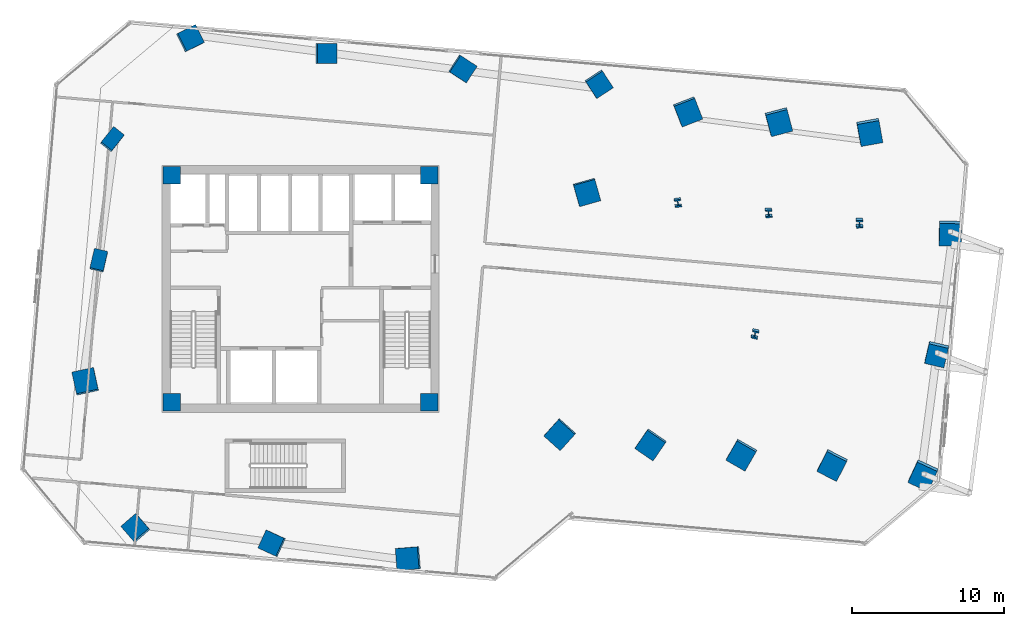
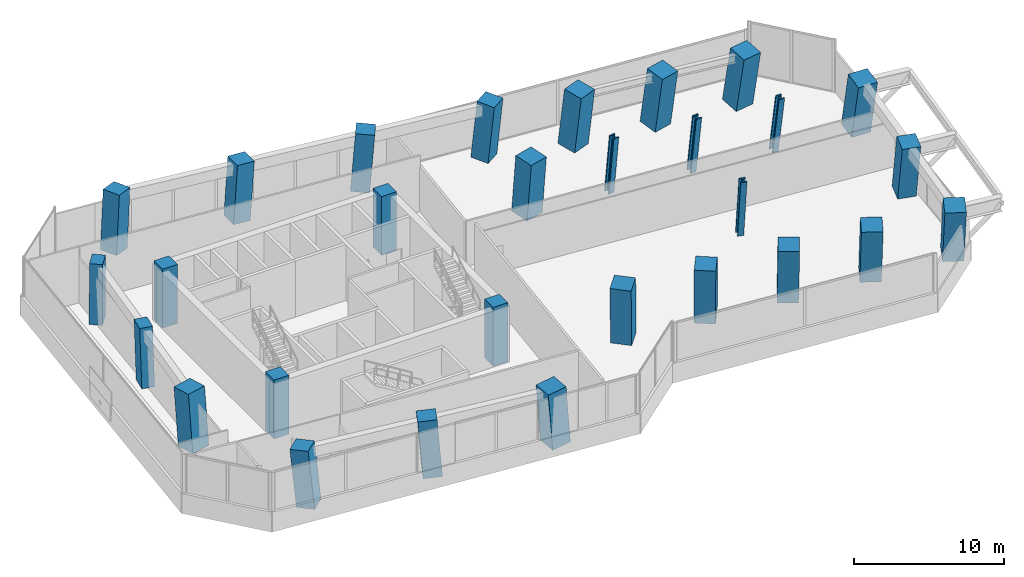
# One storey, part 1 of 23: 29 columns.
"""IFC4 building model written with IfcOpenShell, lengths in metres."""

from ifc_helpers import new_model, si_unit, direction, frame, origin, origin_2d, place, context, subcontext, project, spatial, rectangle, i_section, extrude, clip, halfspace, source, transform, mapped, material, material_profile, profile_set, type_object, element, save


model = new_model("IFC4")

# Units and contexts
model_context = context("Model", 3, precision=1e-05, world=origin(), true_north=direction((0.0, 1.0)))
body_context = subcontext(model_context, "Body", "Model", "MODEL_VIEW")
ifc_project = project(units=[si_unit("LENGTHUNIT", "METRE"), si_unit("AREAUNIT", "SQUARE_METRE"), si_unit("VOLUMEUNIT", "CUBIC_METRE"), si_unit("PLANEANGLEUNIT", "RADIAN"), si_unit("MASSUNIT", "GRAM", prefix="KILO")], contexts=[model_context])

# Site, building, storey
site_placement = place(None, origin())
site = spatial("IfcSite", under=ifc_project, at=site_placement, CompositionType="ELEMENT")
building_placement = place(site_placement, origin())
building = spatial("IfcBuilding", under=site, at=building_placement, Name="Torre Montelarca", CompositionType="ELEMENT")
storey_placement = place(building_placement, frame((0.0, 0.0, 56.800048828125)))
storey = spatial("IfcBuildingStorey", under=building, at=storey_placement, Name="L12", CompositionType="ELEMENT", Elevation=56.800048828125)

# Columns
ifc_material_1 = material(Name="Concrete C55/67", Category="concrete")
ifc_material_profile_1 = material_profile(ifc_material_1, rectangle(XDim=0.89990234375, YDim=1.300048828125, at=origin_2d()), Name="RC1300X900", Category="concrete")
ifc_profile_set_1 = profile_set([ifc_material_profile_1], Name="Concrete C55/67")
column_type_1 = type_object("IfcColumnType", Name="COL-PIL1300-EXT", PredefinedType="PILASTER", material=ifc_profile_set_1)
column_1_placement = place(storey_placement, frame((4.750244140625, 33.83447265625, 0.0), z_axis=(0.00912844697, 0.075816823446, 0.997079977102), x_axis=(0.973952851129, -0.226598165554, 0.00831355192)))
element("IfcColumn", 1, at=column_1_placement, inside=storey, type_object=column_type_1, Name="L12 Column 1W/E", PredefinedType="PILASTER", context=body_context, shape_type="Clipping", body=[
    clip(clip(extrude(rectangle(XDim=0.89990234375, YDim=1.300048828125, at=origin_2d()), origin(), (0.0, 0.0, 1.0), 4.814208984375), halfspace(frame((0.0, 0.0, 0.053955078125), z_axis=(0.0, 0.0, -1.0), x_axis=(1.0, 0.0, 0.0)), False)), halfspace(frame((0.0, 0.0, 4.76025390625), z_axis=(0.0, 0.0, 1.0), x_axis=(1.0, 0.0, 0.0)), False)),
])
column_2_placement = place(storey_placement, frame((5.62109375, 41.786865234375, 0.0), z_axis=(0.04510552975, 0.071408642042, 0.996426764508), x_axis=(0.782503935317, -0.622577740199, 0.009195032476)))
element("IfcColumn", 2, at=column_2_placement, inside=storey, type_object=column_type_1, Name="L12 Column 1W/F", PredefinedType="PILASTER", context=body_context, shape_type="Clipping", body=[
    clip(clip(extrude(rectangle(XDim=0.89990234375, YDim=1.300048828125, at=origin_2d()), origin(), (0.0, 0.0, 1.0), 4.8173828125), halfspace(frame((0.0, 0.0, 0.0595703125), z_axis=(0.0, 0.0, -1.0), x_axis=(1.0, 0.0, 0.0)), False)), halfspace(frame((0.0, 0.0, 4.7578125), z_axis=(0.0, 0.0, 1.0), x_axis=(1.0, 0.0, 0.0)), False)),
])
ifc_material_2 = material(Name="Concrete C70/85", Category="concrete")
ifc_material_profile_2 = material_profile(ifc_material_2, rectangle(XDim=1.300048828125, YDim=1.300048828125, at=origin_2d()), Name="RC1300X1300", Category="concrete")
ifc_profile_set_2 = profile_set([ifc_material_profile_2], Name="Concrete C70/85")
column_type_2 = type_object("IfcColumnType", Name="COL-RC1300-EXT", PredefinedType="COLUMN", material=ifc_profile_set_2)
column_3_placement = place(storey_placement, frame((7.201904296875, 16.26318359375, 0.0), z_axis=(-0.070522413376, 0.065409158709, 0.995363366399), x_axis=(0.75543486805, 0.655140067621, 0.010471481808)))
element("IfcColumn", 3, at=column_3_placement, inside=storey, type_object=column_type_2, Name="L12 Column 2/CS", PredefinedType="COLUMN", context=body_context, shape_type="Clipping", body=[
    clip(clip(extrude(rectangle(XDim=1.300048828125, YDim=1.300048828125, at=origin_2d()), origin(), (0.0, 0.0, 1.0), 4.822509765625), halfspace(frame((0.0, 0.0, 0.070068359375), z_axis=(0.0, 0.0, -1.0), x_axis=(1.0, 0.0, 0.0)), False)), halfspace(frame((0.0, 0.0, 4.75244140625), z_axis=(0.0, 0.0, 1.0), x_axis=(1.0, 0.0, 0.0)), False)),
])
column_4_placement = place(storey_placement, frame((10.7236328125, 48.4208984375, 0.0), z_axis=(0.074876369137, 0.047975589698, 0.996038087694), x_axis=(0.444981691761, -0.89548733486, 0.009681275911)))
element("IfcColumn", 4, at=column_4_placement, inside=storey, type_object=column_type_2, Name="L12 Column 2/GN", PredefinedType="COLUMN", context=body_context, shape_type="Clipping", body=[
    clip(clip(extrude(rectangle(XDim=1.300048828125, YDim=1.300048828125, at=origin_2d()), origin(), (0.0, 0.0, 1.0), 4.819091796875), halfspace(frame((0.0, 0.0, 0.064697265625), z_axis=(0.0, 0.0, -1.0), x_axis=(1.0, 0.0, 0.0)), False)), halfspace(frame((0.0, 0.0, 4.75439453125), z_axis=(0.0, 0.0, 1.0), x_axis=(1.0, 0.0, 0.0)), False)),
])
column_5_placement = place(storey_placement, frame((16.148193359375, 15.283203125, 0.0), z_axis=(-0.075443228527, 0.025097041748, 0.996834217794), x_axis=(0.416751618135, 0.908979188918, 0.008655801295)))
element("IfcColumn", 5, at=column_5_placement, inside=storey, type_object=column_type_2, Name="L12 Column 3/CS", PredefinedType="COLUMN", context=body_context, shape_type="Clipping", body=[
    clip(clip(extrude(rectangle(XDim=1.300048828125, YDim=1.300048828125, at=origin_2d()), origin(), (0.0, 0.0, 1.0), 4.815185546875), halfspace(frame((0.0, 0.0, 0.057861328125), z_axis=(0.0, 0.0, -1.0), x_axis=(1.0, 0.0, 0.0)), False)), halfspace(frame((0.0, 0.0, 4.75732421875), z_axis=(0.0, 0.0, 1.0), x_axis=(1.0, 0.0, 0.0)), False)),
])
column_6_placement = place(storey_placement, frame((19.670166015625, 47.44091796875, 0.0), z_axis=(0.070065939865, 0.007559612628, 0.997513717363), x_axis=(-0.001336889488, -0.999969675123, 0.007672128883)))
element("IfcColumn", 6, at=column_6_placement, inside=storey, type_object=column_type_2, Name="L12 Column 3/GN", PredefinedType="COLUMN", context=body_context, shape_type="Clipping", body=[
    clip(clip(extrude(rectangle(XDim=1.300048828125, YDim=1.300048828125, at=origin_2d()), origin(), (0.0, 0.0, 1.0), 4.81201171875), halfspace(frame((0.0, 0.0, 0.051513671875), z_axis=(0.0, 0.0, -1.0), x_axis=(1.0, 0.0, 0.0)), False)), halfspace(frame((0.0, 0.0, 4.760498046875), z_axis=(0.0, 0.0, 1.0), x_axis=(1.0, 0.0, 0.0)), False)),
])
column_7_placement = place(storey_placement, frame((28.61669921875, 46.461181640625, 0.0), z_axis=(0.06518320686, -0.032972050163, 0.997328428077), x_axis=(-0.545578568093, -0.838021947032, 0.007952504676)))
element("IfcColumn", 7, at=column_7_placement, inside=storey, type_object=column_type_2, Name="L12 Column 4/GN", PredefinedType="COLUMN", context=body_context, shape_type="Clipping", body=[
    clip(clip(extrude(rectangle(XDim=1.300048828125, YDim=1.300048828125, at=origin_2d()), origin(), (0.0, 0.0, 1.0), 4.81298828125), halfspace(frame((0.0, 0.0, 0.05322265625), z_axis=(0.0, 0.0, -1.0), x_axis=(1.0, 0.0, 0.0)), False)), halfspace(frame((0.0, 0.0, 4.759765625), z_axis=(0.0, 0.0, 1.0), x_axis=(1.0, 0.0, 0.0)), False)),
])
column_8_placement = place(storey_placement, frame((37.563232421875, 45.4814453125, 0.0), z_axis=(0.060202088461, -0.073366548511, 0.9954863425), x_axis=(-0.837205508397, -0.546790806859, 0.010332000933)))
element("IfcColumn", 8, at=column_8_placement, inside=storey, type_object=column_type_2, Name="L12 Column 5/GN", PredefinedType="COLUMN", context=body_context, shape_type="Clipping", body=[
    clip(clip(extrude(rectangle(XDim=1.300048828125, YDim=1.300048828125, at=origin_2d()), origin(), (0.0, 0.0, 1.0), 4.82177734375), halfspace(frame((0.0, 0.0, 0.069091796875), z_axis=(0.0, 0.0, -1.0), x_axis=(1.0, 0.0, 0.0)), False)), halfspace(frame((0.0, 0.0, 4.752685546875), z_axis=(0.0, 0.0, 1.0), x_axis=(1.0, 0.0, 0.0)), False)),
])
column_9_placement = place(storey_placement, frame((59.771240234375, 27.80859375, 0.0), z_axis=(-0.020641486675, -0.171143976894, 0.985029780362), x_axis=(-0.974063555379, 0.225494993787, 0.01876693525)))
element("IfcColumn", 9, at=column_9_placement, inside=storey, type_object=column_type_2, Name="L12 Column 9/E", PredefinedType="COLUMN", context=body_context, shape_type="Clipping", body=[
    clip(clip(extrude(rectangle(XDim=1.300048828125, YDim=1.300048828125, at=origin_2d()), origin(), (0.0, 0.0, 1.0), 4.873046875), halfspace(frame((0.0, 0.0, 0.126220703125), z_axis=(0.0, 0.0, -1.0), x_axis=(1.0, 0.0, 0.0)), False)), halfspace(frame((0.0, 0.0, 4.746826171875), z_axis=(0.0, 0.0, 1.0), x_axis=(1.0, 0.0, 0.0)), False)),
])
ifc_material_profile_3 = material_profile(ifc_material_2, rectangle(XDim=1.449951171875, YDim=1.449951171875, at=origin_2d()), Name="RC1450X1450", Category="concrete")
ifc_profile_set_3 = profile_set([ifc_material_profile_3], Name="Concrete C70/85")
column_type_3 = type_object("IfcColumnType", Name="COL-RC1450", PredefinedType="COLUMN", material=ifc_profile_set_3)
for number, where, z_axis, x_axis, name in (
    (10, (35.04296875, 22.468994140625, 0.0), (-0.043871591956, -0.060913042704, 0.997178461785), (-0.743176201511, 0.669045847563, 0.008172353828), "L12 Column 5/D"),
    (11, (36.784912109375, 38.373779296875, 0.0), (0.028098154214, -0.069586042566, 0.997180162463), (-0.962395382305, -0.271529705464, 0.008169893998), "L12 Column 5/F"),
):
    element("IfcColumn", number, at=place(storey_placement, frame(where, z_axis=z_axis, x_axis=x_axis)), inside=storey, type_object=column_type_3, Name=name, PredefinedType="COLUMN", context=body_context, shape_type="Clipping", body=[
        clip(clip(extrude(rectangle(XDim=1.449951171875, YDim=1.449951171875, at=origin_2d()), origin(), (0.0, 0.0, 1.0), 4.813720703125), halfspace(frame((0.0, 0.0, 0.06103515625), z_axis=(0.0, 0.0, -1.0), x_axis=(1.0, 0.0, 0.0)), False)), halfspace(frame((0.0, 0.0, 4.752685546875), z_axis=(0.0, 0.0, 1.0), x_axis=(1.0, 0.0, 0.0)), False)),
    ])
column_10_placement = place(storey_placement, frame((41.007080078125, 21.81591796875, 0.0), z_axis=(-0.046965652066, -0.08775694039, 0.995034143605), x_axis=(-0.825321805983, 0.564558675615, 0.010835975157)))
element("IfcColumn", 12, at=column_10_placement, inside=storey, type_object=column_type_3, Name="L12 Column 6/D", PredefinedType="COLUMN", context=body_context, shape_type="Clipping", body=[
    clip(clip(extrude(rectangle(XDim=1.449951171875, YDim=1.449951171875, at=origin_2d()), origin(), (0.0, 0.0, 1.0), 4.823974609375), halfspace(frame((0.0, 0.0, 0.080810546875), z_axis=(0.0, 0.0, -1.0), x_axis=(1.0, 0.0, 0.0)), False)), halfspace(frame((0.0, 0.0, 4.7431640625), z_axis=(0.0, 0.0, 1.0), x_axis=(1.0, 0.0, 0.0)), False)),
])
column_11_placement = place(storey_placement, frame((43.40234375, 43.68505859375, 0.0), z_axis=(0.051703712175, -0.099515747089, 0.993691774258), x_axis=(-0.931980217707, -0.362303485077, 0.012208951762)))
element("IfcColumn", 13, at=column_11_placement, inside=storey, type_object=column_type_3, Name="L12 Column 6/G", PredefinedType="COLUMN", context=body_context, shape_type="Clipping", body=[
    clip(clip(extrude(rectangle(XDim=1.449951171875, YDim=1.449951171875, at=origin_2d()), origin(), (0.0, 0.0, 1.0), 4.83056640625), halfspace(frame((0.0, 0.0, 0.091064453125), z_axis=(0.0, 0.0, -1.0), x_axis=(1.0, 0.0, 0.0)), False)), halfspace(frame((0.0, 0.0, 4.739501953125), z_axis=(0.0, 0.0, 1.0), x_axis=(1.0, 0.0, 0.0)), False)),
])
column_12_placement = place(storey_placement, frame((46.9716796875, 21.16259765625, 0.0), z_axis=(-0.050161528718, -0.114301672581, 0.992178889456), x_axis=(-0.866852633498, 0.498379218299, 0.013589207657)))
element("IfcColumn", 14, at=column_12_placement, inside=storey, type_object=column_type_3, Name="L12 Column 7/D", PredefinedType="COLUMN", context=body_context, shape_type="Clipping", body=[
    clip(clip(extrude(rectangle(XDim=1.449951171875, YDim=1.449951171875, at=origin_2d()), origin(), (0.0, 0.0, 1.0), 4.837890625), halfspace(frame((0.0, 0.0, 0.101318359375), z_axis=(0.0, 0.0, -1.0), x_axis=(1.0, 0.0, 0.0)), False)), halfspace(frame((0.0, 0.0, 4.736572265625), z_axis=(0.0, 0.0, 1.0), x_axis=(1.0, 0.0, 0.0)), False)),
])
column_13_placement = place(storey_placement, frame((49.36669921875, 43.03173828125, 0.0), z_axis=(0.048280336686, -0.125992527886, 0.990855636309), x_axis=(-0.966836937875, -0.254971701733, 0.014689005247)))
element("IfcColumn", 15, at=column_13_placement, inside=storey, type_object=column_type_3, Name="L12 Column 7/G", PredefinedType="COLUMN", context=body_context, shape_type="Clipping", body=[
    clip(clip(extrude(rectangle(XDim=1.449951171875, YDim=1.449951171875, at=origin_2d()), origin(), (0.0, 0.0, 1.0), 4.84423828125), halfspace(frame((0.0, 0.0, 0.109619140625), z_axis=(0.0, 0.0, -1.0), x_axis=(1.0, 0.0, 0.0)), False)), halfspace(frame((0.0, 0.0, 4.734619140625), z_axis=(0.0, 0.0, 1.0), x_axis=(1.0, 0.0, 0.0)), False)),
])
column_14_placement = place(storey_placement, frame((52.935791015625, 20.509521484375, 0.0), z_axis=(-0.053149747864, -0.140693466909, 0.988625537133), x_axis=(-0.891879106556, 0.451977402637, 0.016373356236)))
element("IfcColumn", 16, at=column_14_placement, inside=storey, type_object=column_type_3, Name="L12 Column 8/D", PredefinedType="COLUMN", context=body_context, shape_type="Clipping", body=[
    clip(clip(extrude(rectangle(XDim=1.449951171875, YDim=1.449951171875, at=origin_2d()), origin(), (0.0, 0.0, 1.0), 4.855224609375), halfspace(frame((0.0, 0.0, 0.122314453125), z_axis=(0.0, 0.0, -1.0), x_axis=(1.0, 0.0, 0.0)), False)), halfspace(frame((0.0, 0.0, 4.73291015625), z_axis=(0.0, 0.0, 1.0), x_axis=(1.0, 0.0, 0.0)), False)),
])
column_15_placement = place(storey_placement, frame((55.3310546875, 42.378662109375, 0.0), z_axis=(0.044893841012, -0.152307628401, 0.987312984504), x_axis=(-0.983887561358, -0.177950671201, 0.01728656193)))
element("IfcColumn", 17, at=column_15_placement, inside=storey, type_object=column_type_3, Name="L12 Column 8/G", PredefinedType="COLUMN", context=body_context, shape_type="Clipping", body=[
    clip(clip(extrude(rectangle(XDim=1.449951171875, YDim=1.449951171875, at=origin_2d()), origin(), (0.0, 0.0, 1.0), 4.86181640625), halfspace(frame((0.0, 0.0, 0.12939453125), z_axis=(0.0, 0.0, -1.0), x_axis=(1.0, 0.0, 0.0)), False)), halfspace(frame((0.0, 0.0, 4.732421875), z_axis=(0.0, 0.0, 1.0), x_axis=(1.0, 0.0, 0.0)), False)),
])
ifc_material_profile_4 = material_profile(ifc_material_2, rectangle(XDim=1.449951171875, YDim=1.449951171875, at=origin_2d()), Name="RC1450X1450", Category="concrete")
ifc_profile_set_4 = profile_set([ifc_material_profile_4], Name="Concrete C70/85")
column_type_4 = type_object("IfcColumnType", Name="COL-RC1450-EXT", PredefinedType="COLUMN", material=ifc_profile_set_4)
column_16_placement = place(storey_placement, frame((25.0947265625, 14.303466796875, 0.0), z_axis=(-0.080295848656, -0.015410314389, 0.996651944712), x_axis=(-0.080801482977, 0.996690468965, 0.008901091172)))
element("IfcColumn", 18, at=column_16_placement, inside=storey, type_object=column_type_4, Name="L12 Perimeter Mega Column 4/CS", PredefinedType="COLUMN", context=body_context, shape_type="Clipping", body=[
    clip(clip(extrude(rectangle(XDim=1.449951171875, YDim=1.449951171875, at=origin_2d()), origin(), (0.0, 0.0, 1.0), 4.816162109375), halfspace(frame((0.0, 0.0, 0.06640625), z_axis=(0.0, 0.0, -1.0), x_axis=(1.0, 0.0, 0.0)), False)), halfspace(frame((0.0, 0.0, 4.749755859375), z_axis=(0.0, 0.0, 1.0), x_axis=(1.0, 0.0, 0.0)), False)),
])
for number, where, z_axis, x_axis, name in (
    (19, (58.900146484375, 19.856201171875, 0.0), (-0.056127195567, -0.166729314217, 0.984403917962), (-0.907915249732, 0.418716004877, 0.019152194766), "L12 Perimeter Mega Column 9/D"),
    (20, (60.64208984375, 35.760986328125, 0.0), (0.014920516275, -0.175291031806, 0.984403592213), (-0.999563933901, 0.022475050126, 0.019152393205), "L12 Perimeter Mega Column 9/F"),
):
    element("IfcColumn", number, at=place(storey_placement, frame(where, z_axis=z_axis, x_axis=x_axis)), inside=storey, type_object=column_type_4, Name=name, PredefinedType="COLUMN", context=body_context, shape_type="Clipping", body=[
        clip(clip(extrude(rectangle(XDim=1.449951171875, YDim=1.449951171875, at=origin_2d()), origin(), (0.0, 0.0, 1.0), 4.8759765625), halfspace(frame((0.0, 0.0, 0.1435546875), z_axis=(0.0, 0.0, -1.0), x_axis=(1.0, 0.0, 0.0)), False)), halfspace(frame((0.0, 0.0, 4.732421875), z_axis=(0.0, 0.0, 1.0), x_axis=(1.0, 0.0, 0.0)), False)),
    ])
column_17_placement = place(storey_placement, frame((3.879150390625, 25.882080078125, 0.0), z_axis=(-0.026809955248, 0.080075102632, 0.996428223325), x_axis=(0.977066647874, 0.212735167395, 0.009193158651)))
element("IfcColumn", 21, at=column_17_placement, inside=storey, type_object=column_type_4, Name="L12 Perimeter Mega Column 1W/D", PredefinedType="COLUMN", context=body_context, shape_type="Clipping", body=[
    clip(clip(extrude(rectangle(XDim=1.449951171875, YDim=1.449951171875, at=origin_2d()), origin(), (0.0, 0.0, 1.0), 4.817138671875), halfspace(frame((0.0, 0.0, 0.068603515625), z_axis=(0.0, 0.0, -1.0), x_axis=(1.0, 0.0, 0.0)), False)), halfspace(frame((0.0, 0.0, 4.74853515625), z_axis=(0.0, 0.0, 1.0), x_axis=(1.0, 0.0, 0.0)), False)),
])
ifc_material_3 = material(Name="Steel ASTM A992 Grade 50", Category="steel")
ifc_material_profile_5 = material_profile(ifc_material_3, i_section(OverallWidth=0.431884765625, OverallDepth=0.498046875, WebThickness=0.0556640625, FlangeThickness=0.0888671875, FilletRadius=0.014892578125, at=origin_2d()), Name="W360X744", Category="steel")
ifc_profile_set_5 = profile_set([ifc_material_profile_5], Name="Steel ASTM A992 Grade 50")
column_type_5 = type_object("IfcColumnType", Name="COL-W360X744", PredefinedType="COLUMN", material=ifc_profile_set_5)
column_18_placement = place(storey_placement, frame((42.7490234375, 37.720703125, 0.0), z_axis=(0.024849335868, -0.096360764753, 0.995036237291), x_axis=(-0.989615678432, -0.143329829508, 0.010833696288)))
element("IfcColumn", 22, at=column_18_placement, inside=storey, type_object=column_type_5, Name="L12 Column 6/F", PredefinedType="COLUMN", context=body_context, shape_type="Clipping", body=[
    clip(clip(extrude(i_section(OverallWidth=0.431884765625, OverallDepth=0.498046875, WebThickness=0.0556640625, FlangeThickness=0.0888671875, FilletRadius=0.014892578125, at=origin_2d()), origin(), (0.0, 0.0, 1.0), 4.823974609375), halfspace(frame((0.0, 0.0, 0.02783203125), z_axis=(0.0, 0.0, -1.0), x_axis=(1.0, 0.0, 0.0)), False)), halfspace(frame((0.0, 0.0, 4.796142578125), z_axis=(0.0, 0.0, 1.0), x_axis=(1.0, 0.0, 0.0)), False)),
])
column_19_placement = place(storey_placement, frame((47.842529296875, 29.114990234375, 0.0), z_axis=(-0.014341188852, -0.118718785183, 0.992824345162), x_axis=(-0.973919373234, 0.226520579703, 0.013018502664)))
element("IfcColumn", 23, at=column_19_placement, inside=storey, type_object=column_type_5, Name="L12 Column 7/E", PredefinedType="COLUMN", context=body_context, shape_type="Clipping", body=[
    clip(clip(extrude(i_section(OverallWidth=0.431884765625, OverallDepth=0.498046875, WebThickness=0.0556640625, FlangeThickness=0.0888671875, FilletRadius=0.014892578125, at=origin_2d()), origin(), (0.0, 0.0, 1.0), 4.834716796875), halfspace(frame((0.0, 0.0, 0.033447265625), z_axis=(0.0, 0.0, -1.0), x_axis=(1.0, 0.0, 0.0)), False)), halfspace(frame((0.0, 0.0, 4.80126953125), z_axis=(0.0, 0.0, 1.0), x_axis=(1.0, 0.0, 0.0)), False)),
])
column_20_placement = place(storey_placement, frame((48.71337890625, 37.0673828125, 0.0), z_axis=(0.02149787163, -0.122931491293, 0.992182286661), x_axis=(-0.997803330993, -0.064837689598, 0.013586267593)))
element("IfcColumn", 24, at=column_20_placement, inside=storey, type_object=column_type_5, Name="L12 Column 7/F", PredefinedType="COLUMN", context=body_context, shape_type="Clipping", body=[
    clip(clip(extrude(i_section(OverallWidth=0.431884765625, OverallDepth=0.498046875, WebThickness=0.0556640625, FlangeThickness=0.0888671875, FilletRadius=0.014892578125, at=origin_2d()), origin(), (0.0, 0.0, 1.0), 4.837890625), halfspace(frame((0.0, 0.0, 0.034912109375), z_axis=(0.0, 0.0, -1.0), x_axis=(1.0, 0.0, 0.0)), False)), halfspace(frame((0.0, 0.0, 4.802978515625), z_axis=(0.0, 0.0, 1.0), x_axis=(1.0, 0.0, 0.0)), False)),
])
column_21_placement = place(storey_placement, frame((54.677734375, 36.414306640625, 0.0), z_axis=(0.018202658367, -0.149291968764, 0.988625597125), x_axis=(-0.999775164088, -0.013473525274, 0.016373313304)))
element("IfcColumn", 25, at=column_21_placement, inside=storey, type_object=column_type_5, Name="L12 Column 8/F", PredefinedType="COLUMN", context=body_context, shape_type="Clipping", body=[
    clip(clip(extrude(i_section(OverallWidth=0.431884765625, OverallDepth=0.498046875, WebThickness=0.0556640625, FlangeThickness=0.0888671875, FilletRadius=0.014892578125, at=origin_2d()), origin(), (0.0, 0.0, 1.0), 4.855224609375), halfspace(frame((0.0, 0.0, 0.0419921875), z_axis=(0.0, 0.0, -1.0), x_axis=(1.0, 0.0, 0.0)), False)), halfspace(frame((0.0, 0.0, 4.813232421875), z_axis=(0.0, 0.0, 1.0), x_axis=(1.0, 0.0, 0.0)), False)),
])
ifc_material_profile_6 = material_profile(ifc_material_1, rectangle(XDim=1.14990234375, YDim=1.14990234375, at=origin_2d()), Name="RC1150X1150", Category="concrete")
ifc_profile_set_6 = profile_set([ifc_material_profile_6], Name="Concrete C55/67")
column_type_6 = type_object("IfcColumnType", Name="COL-RC1150", PredefinedType="COLUMN", material=ifc_profile_set_6)
shared_shape = source(origin(), body_context, "Body", "SweptSolid", [
    extrude(rectangle(XDim=1.14990234375, YDim=1.14990234375, at=origin_2d()), origin(), (0.0, 0.0, 1.0), 4.798583984375),
])
for number, where, z_axis, x_axis, name in (
    (26, (9.550048828125, 24.550048828125, 0.000732421875), (0.0, 0.0, 1.0), (1.0, 0.0, 0.0), "L12 Plumb Core Corner Column 2D"),
    (27, (26.449951171875, 24.550048828125, 0.000732421875), (0.0, 0.0, 1.0), (1.0, 0.0, 0.0), "L12 Plumb Core Corner Column 4D"),
    (28, (9.550048828125, 39.449951171875, 0.000732421875), (0.0, 0.0, 1.0), (1.0, 0.0, 0.0), "L12 Plumb Core Corner Column 2F"),
    (29, (26.449951171875, 39.449951171875, 0.000732421875), (0.0, 0.0, 1.0), (1.0, 0.0, 0.0), "L12 Plumb Core Corner Column 4F"),
):
    element("IfcColumn", number, at=place(storey_placement, frame(where, z_axis=z_axis, x_axis=x_axis)), inside=storey, type_object=column_type_6, Name=name, PredefinedType="COLUMN", context=body_context, shape_type="MappedRepresentation", body=[
        mapped(shared_shape, transform((0.0, 0.0, 0.0), scale=1.0)),
    ])

save(model, "model.ifc")
